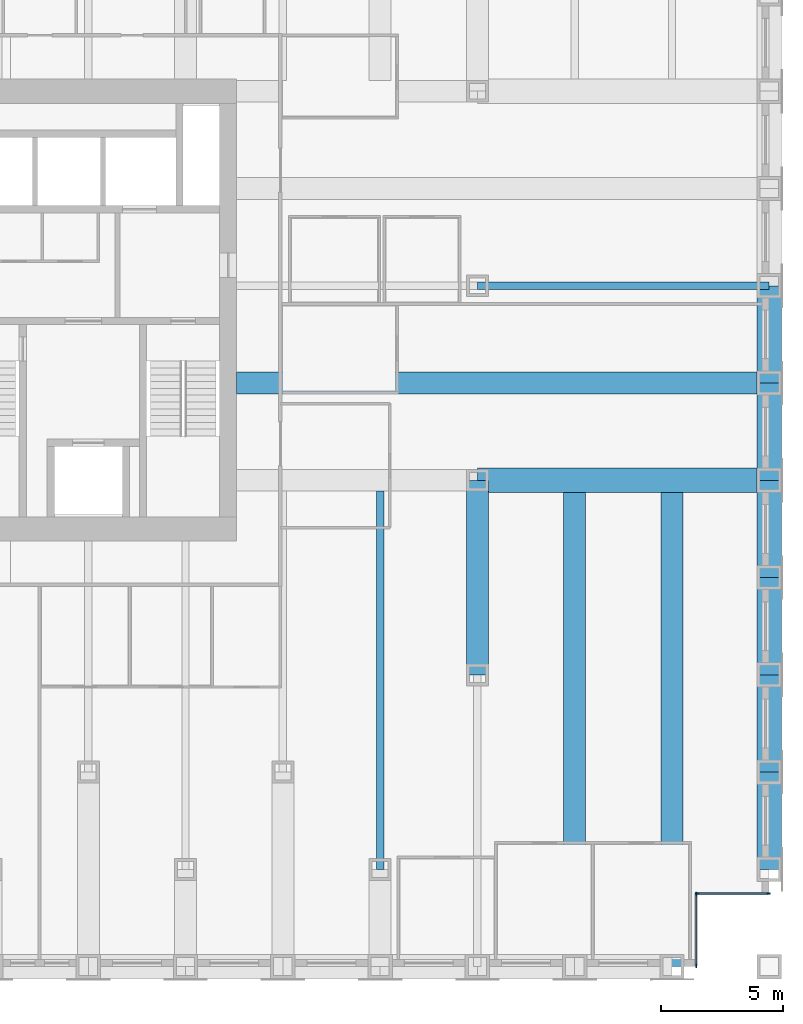
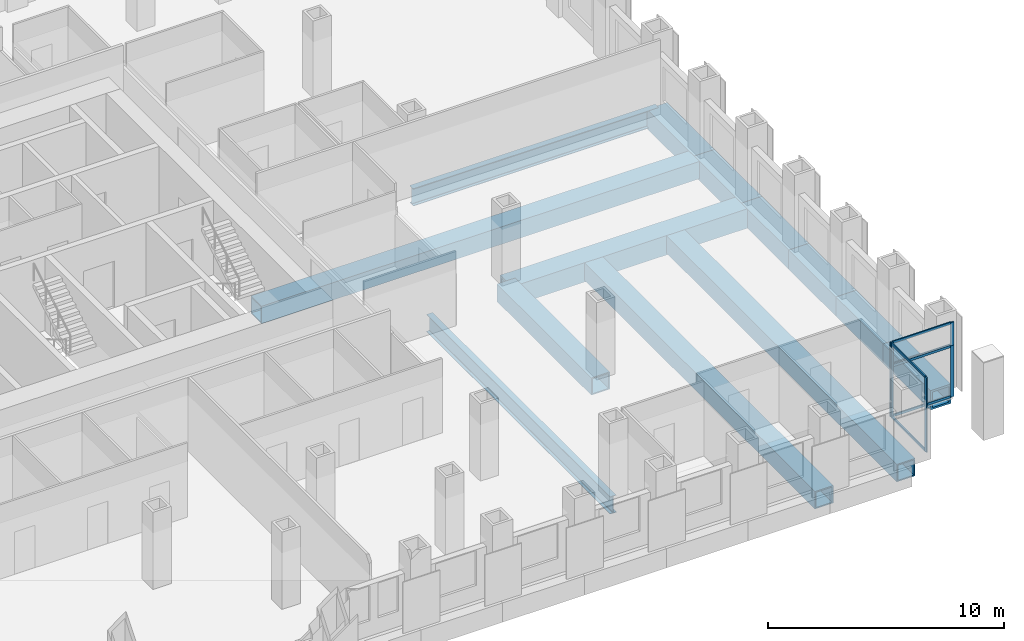
# One storey, part 4 of 17: 13 beams, 12 members, 3 elements without a shape of their own.
"""IFC4 building model written with IfcOpenShell, lengths in metres."""

import ifcopenshell
import ifcopenshell.guid

model = None  # the IFC model being written
_history = None  # IfcOwnerHistory: only IFC2X3 demands one
_inside = {}  # id of a spatial element -> (the spatial element, [elements in it])
_under = {}  # id of a project, library or spatial element -> (it, [spatial elements below it])
_declared = {}  # id of a project -> (the project, [libraries it declares])
_typed = {}  # id of a type object -> (the type object, [elements of that type])
_made_of = {}  # id of a material, layer set ... -> (it, [elements and type objects made of it])


def new_model(schema):
    """Start an empty IFC model of exactly this schema.

    Asked for "IFC4X3", IfcOpenShell would pick the latest addendum, in which some entities
    have other attributes; the version numbers below select the first issue.
    IFC2X3 requires an IfcOwnerHistory on every rooted entity: one is made here for all.
    """
    global model, _history
    if schema == "IFC4X3":
        model = ifcopenshell.file(schema_version=(4, 3, 0, 0))
    else:
        model = ifcopenshell.file(schema=schema)
    _inside.clear()
    _under.clear()
    _declared.clear()
    _typed.clear()
    _made_of.clear()
    _history = None
    if model.schema == "IFC2X3":
        org = make("IfcOrganization", Name="unknown")
        user = make(
            "IfcPersonAndOrganization",
            ThePerson=make("IfcPerson", FamilyName="unknown"),
            TheOrganization=org,
        )
        app = make(
            "IfcApplication",
            ApplicationDeveloper=org,
            Version="unknown",
            ApplicationFullName="unknown",
            ApplicationIdentifier="unknown",
        )
        _history = make(
            "IfcOwnerHistory",
            OwningUser=user,
            OwningApplication=app,
            ChangeAction="ADDED",
            CreationDate=0,
        )
    return model


def make(cls, **values):
    """One entity of the class cls with the attributes given. An attribute that is None is left unset."""
    return model.create_entity(
        cls, **{name: value for name, value in values.items() if value is not None}
    )


def rooted(cls, **values):
    """An entity with a GlobalId (a new one), such as an element, a storey or a relation."""
    return make(cls, GlobalId=ifcopenshell.guid.new(), OwnerHistory=_history, **values)


def si_unit(unit_type, name, prefix=None):
    """IfcSIUnit, for example si_unit("LENGTHUNIT", "METRE", prefix="MILLI")."""
    return make("IfcSIUnit", UnitType=unit_type, Prefix=prefix, Name=name)


def assignment(units):
    """IfcUnitAssignment: the units of a project."""
    return None if units is None else make("IfcUnitAssignment", Units=units)


def point(xyz):
    """IfcCartesianPoint."""
    return None if xyz is None else make("IfcCartesianPoint", Coordinates=xyz)


def direction(xyz):
    """IfcDirection."""
    return None if xyz is None else make("IfcDirection", DirectionRatios=xyz)


def frame(location, z_axis=None, x_axis=None):
    """IfcAxis2Placement3D, a coordinate frame: its origin and axes. An axis left out is left unset."""
    return make(
        "IfcAxis2Placement3D",
        Location=point(location),
        Axis=direction(z_axis),
        RefDirection=direction(x_axis),
    )


def frame_2d(location, x_axis=None):
    """IfcAxis2Placement2D, a coordinate frame in the plane: its origin and x axis."""
    return make(
        "IfcAxis2Placement2D", Location=point(location), RefDirection=direction(x_axis)
    )


def origin():
    """The frame at (0, 0, 0) with its axes left unset."""
    return frame((0.0, 0.0, 0.0))


def origin_2d():
    """The frame at (0, 0) in the plane with its x axis left unset."""
    return frame_2d((0.0, 0.0))


def place(relative_to, where):
    """IfcLocalPlacement: puts the frame where relative to a parent placement (None: the world)."""
    return make(
        "IfcLocalPlacement", PlacementRelTo=relative_to, RelativePlacement=where
    )


def context(
    kind, dimensions, precision=None, world=None, true_north=None, identifier=None
):
    """IfcGeometricRepresentationContext, for example the 3D "Model" context."""
    return make(
        "IfcGeometricRepresentationContext",
        ContextIdentifier=identifier,
        ContextType=kind,
        CoordinateSpaceDimension=dimensions,
        Precision=precision,
        WorldCoordinateSystem=world,
        TrueNorth=true_north,
    )


def subcontext(parent, identifier, kind, view, scale=None):
    """IfcGeometricRepresentationSubContext, for example "Body" below "Model"."""
    return make(
        "IfcGeometricRepresentationSubContext",
        ContextIdentifier=identifier,
        ContextType=kind,
        ParentContext=parent,
        TargetScale=scale,
        TargetView=view,
    )


def project(units=None, contexts=None):
    """IfcProject with its units and contexts."""
    return rooted(
        "IfcProject",
        Name="project",
        RepresentationContexts=contexts,
        UnitsInContext=assignment(units),
    )


def spatial(cls, under=None, at=None, **own):
    """A site, building, storey or space (cls), placed at a placement, below another one or the project."""
    s = rooted(cls, ObjectPlacement=at, **own)
    if under is not None:
        _under.setdefault(under.id(), (under, []))[1].append(s)
    return s


def profile(cls, at=None, kind="AREA", **sizes):
    """A parametric profile (cls). Its sizes go by their IFC names, for example OverallWidth=200.0."""
    return make(cls, ProfileType=kind, Position=at, **sizes)


def rectangle(**sizes):
    """IfcRectangleProfileDef."""
    return profile("IfcRectangleProfileDef", **sizes)


def hollow_rectangle(**sizes):
    """IfcRectangleHollowProfileDef."""
    return profile("IfcRectangleHollowProfileDef", **sizes)


def i_section(**sizes):
    """IfcIShapeProfileDef."""
    return profile("IfcIShapeProfileDef", **sizes)


def extrude(swept, where, along, depth):
    """IfcExtrudedAreaSolid: the profile swept, set in the frame where, extruded along a direction by depth."""
    return make(
        "IfcExtrudedAreaSolid",
        SweptArea=swept,
        Position=where,
        ExtrudedDirection=direction(along),
        Depth=depth,
    )


def shape(context_of_items, identifier, shape_type, items):
    """IfcShapeRepresentation: the items that make up one representation, for example the "Body"."""
    return make(
        "IfcShapeRepresentation",
        ContextOfItems=context_of_items,
        RepresentationIdentifier=identifier,
        RepresentationType=shape_type,
        Items=items,
    )


def material(Name=None, Category=None):
    """IfcMaterial."""
    return make("IfcMaterial", Name=Name, Category=Category)


def material_profile(
    of_material, cross_section, Name=None, Category=None, Priority=None
):
    """IfcMaterialProfile: a cross section and its material."""
    return make(
        "IfcMaterialProfile",
        Name=Name,
        Material=of_material,
        Profile=cross_section,
        Priority=Priority,
        Category=Category,
    )


def profile_set(profiles, Name=None, composite=None):
    """IfcMaterialProfileSet."""
    return make(
        "IfcMaterialProfileSet",
        Name=Name,
        MaterialProfiles=profiles,
        CompositeProfile=composite,
    )


def made_of(thing, what):
    """Note that an element or type object is made of a material, layer set ...; save() writes the relation."""
    if what is not None:
        _made_of.setdefault(what.id(), (what, []))[1].append(thing)
    return thing


def type_object(cls, material=None, **own):
    """A type object (cls), such as IfcWallType, which elements share."""
    return made_of(rooted(cls, **own), material)


def element(
    cls,
    number,
    at=None,
    inside=None,
    cuts=None,
    type_object=None,
    material=None,
    context=None,
    identifier="Body",
    shape_type=None,
    held_by="IfcProductDefinitionShape",
    body=None,
    shapes=None,
    **own,
):
    """One element of the class cls, such as IfcWall. Its Tag is "e" and its number.

    at: its placement. inside: the storey or other place that contains it. cuts: it is an
    opening in that element (IfcRelVoidsElement). A single representation is given by context,
    identifier, shape_type and body (its items); several are given by shapes. held_by: the class
    of the entity that holds the representations. save() writes the other relations.
    """
    e = rooted(cls, Tag="e%d" % number, ObjectPlacement=at, **own)
    if body is not None:
        shapes = [shape(context, identifier, shape_type, body)]
    if shapes is not None:
        e.Representation = make(held_by, Representations=shapes)
    if inside is not None:
        _inside.setdefault(inside.id(), (inside, []))[1].append(e)
    if cuts is not None:
        rooted(
            "IfcRelVoidsElement", RelatingBuildingElement=cuts, RelatedOpeningElement=e
        )
    if type_object is not None:
        _typed.setdefault(type_object.id(), (type_object, []))[1].append(e)
    return made_of(e, material)


def aggregate(whole, parts):
    """IfcRelAggregates: a whole, such as a stair, and the parts it consists of."""
    return rooted("IfcRelAggregates", RelatingObject=whole, RelatedObjects=parts)


def save(model, path):
    """Write the relations noted so far, then the file.

    IfcRelAggregates (storeys below a building ...), IfcRelContainedInSpatialStructure (elements
    in a storey), IfcRelDefinesByType, IfcRelAssociatesMaterial and IfcRelDeclares: one each for
    every whole, place, type object, material and project.
    """
    for whole, parts in _under.values():
        aggregate(whole, parts)
    for where, things in _inside.values():
        rooted(
            "IfcRelContainedInSpatialStructure",
            RelatedElements=things,
            RelatingStructure=where,
        )
    for kind, things in _typed.values():
        rooted("IfcRelDefinesByType", RelatedObjects=things, RelatingType=kind)
    for what, things in _made_of.values():
        rooted("IfcRelAssociatesMaterial", RelatedObjects=things, RelatingMaterial=what)
    for by, libraries in _declared.values():
        rooted("IfcRelDeclares", RelatingContext=by, RelatedDefinitions=libraries)
    model.write(path)


model = new_model("IFC4")

# Units and contexts
model_context = context("Model", 3, precision=1e-05, world=origin(), true_north=direction((0.0, 1.0)))
body_context = subcontext(model_context, "Body", "Model", "MODEL_VIEW")
ifc_project = project(units=[si_unit("LENGTHUNIT", "METRE"), si_unit("AREAUNIT", "SQUARE_METRE"), si_unit("VOLUMEUNIT", "CUBIC_METRE"), si_unit("PLANEANGLEUNIT", "RADIAN"), si_unit("MASSUNIT", "GRAM", prefix="KILO")], contexts=[model_context])

# Site, building, storey
site_placement = place(None, origin())
site = spatial("IfcSite", under=ifc_project, at=site_placement, CompositionType="ELEMENT")
building_placement = place(site_placement, origin())
building = spatial("IfcBuilding", under=site, at=building_placement, Name="Rimbunsela Tower", CompositionType="ELEMENT")
storey_placement = place(building_placement, frame((0.0, 0.0, 101.39990234375)))
storey = spatial("IfcBuildingStorey", under=building, at=storey_placement, Name="L24", CompositionType="ELEMENT", Elevation=101.39990234375)

# Beams
ifc_material_1 = material(Name="Steel BJ 55 (fy 410 MPa)", Category="steel")
ifc_material_profile_1 = material_profile(ifc_material_1, hollow_rectangle(XDim=1.0, YDim=1.0, WallThickness=0.10009765625, at=origin_2d()), Name="BOX 1000x1000x100")
ifc_profile_set_1 = profile_set([ifc_material_profile_1], Name="Steel BJ 55 (fy 410 MPa)")
beam_type_1 = type_object("IfcBeamType", Name="Beam BOX 1000x1000x100", PredefinedType="BEAM", material=ifc_profile_set_1)
beam_1_placement = place(storey_placement, frame((46.0, 20.0, -0.64990234375), z_axis=(1.0, 0.0, 0.0), x_axis=(0.0, 1.0, 0.0)))
element("IfcBeam", 1, at=beam_1_placement, inside=storey, type_object=beam_type_1, Name="Beam B3 L24", PredefinedType="BEAM", context=body_context, shape_type="SweptSolid", body=[
    extrude(hollow_rectangle(XDim=1.0, YDim=1.0, WallThickness=0.10009765625, at=origin_2d()), origin(), (0.0, 0.0, 1.0), 12.0),
])
for number, where, z_axis, x_axis, name in (
    (2, (58.0, 4.0, -0.64990234375), (0.0, 1.0, 0.0), (-1.0, 0.0, 0.0), "Beam B3 L24"),
    (3, (58.0, 8.0, -0.64990234375), (0.0, 1.0, 0.0), (-1.0, 0.0, 0.0), "Beam B3 L24"),
    (4, (58.0, 12.0, -0.64990234375), (0.0, 1.0, 0.0), (-1.0, 0.0, 0.0), "Beam B3 L24"),
    (5, (58.0, 16.0, -0.64990234375), (0.0, 1.0, 0.0), (-1.0, 0.0, 0.0), "Beam B3 L24"),
    (6, (58.0, 20.0, -0.64990234375), (0.0, 1.0, 0.0), (-1.0, 0.0, 0.0), "Beam B3 L24"),
    (7, (58.0, 24.0, -0.64990234375), (0.0, 1.0, 0.0), (-1.0, 0.0, 0.0), "Beam B3 L24"),
):
    element("IfcBeam", number, at=place(storey_placement, frame(where, z_axis=z_axis, x_axis=x_axis)), inside=storey, type_object=beam_type_1, Name=name, PredefinedType="BEAM", context=body_context, shape_type="SweptSolid", body=[
        extrude(hollow_rectangle(XDim=1.0, YDim=1.0, WallThickness=0.10009765625, at=origin_2d()), origin(), (0.0, 0.0, 1.0), 4.0),
    ])
ifc_material_2 = material(Name="Steel BJ 55 (fy 410 MPa)", Category="steel")
ifc_material_profile_2 = material_profile(ifc_material_2, hollow_rectangle(XDim=0.89990234375, YDim=0.89990234375, WallThickness=0.06005859375, at=origin_2d()), Name="BOX 900x900x60")
ifc_profile_set_2 = profile_set([ifc_material_profile_2], Name="Steel BJ 55 (fy 410 MPa)")
beam_type_2 = type_object("IfcBeamType", Name="Beam BOX 900x900x60", PredefinedType="BEAM", material=ifc_profile_set_2)
beam_2_placement = place(storey_placement, frame((36.10009765625, 24.0, -0.599853515625), z_axis=(1.0, 0.0, 0.0), x_axis=(0.0, 1.0, 0.0)))
element("IfcBeam", 8, at=beam_2_placement, inside=storey, type_object=beam_type_2, Name="Beam B1 L24", PredefinedType="BEAM", context=body_context, shape_type="SweptSolid", body=[
    extrude(hollow_rectangle(XDim=0.89990234375, YDim=0.89990234375, WallThickness=0.06005859375, at=origin_2d()), origin(), (0.0, 0.0, 1.0), 21.89990234375),
])
beam_3_placement = place(storey_placement, frame((46.0, 12.0, -0.599853515625), z_axis=(0.0, 1.0, 0.0), x_axis=(-1.0, 0.0, 0.0)))
element("IfcBeam", 9, at=beam_3_placement, inside=storey, type_object=beam_type_2, Name="Beam B1 L24", PredefinedType="BEAM", context=body_context, shape_type="SweptSolid", body=[
    extrude(hollow_rectangle(XDim=0.89990234375, YDim=0.89990234375, WallThickness=0.06005859375, at=origin_2d()), origin(), (0.0, 0.0, 1.0), 8.0),
])
for number, where, z_axis, x_axis, name in (
    (10, (50.0, 0.0, -0.599853515625), (0.0, 1.0, 0.0), (-1.0, 0.0, 0.0), "Beam B1 L24"),
    (11, (54.0, 0.0, -0.599853515625), (0.0, 1.0, 0.0), (-1.0, 0.0, 0.0), "Beam B1 L24"),
):
    element("IfcBeam", number, at=place(storey_placement, frame(where, z_axis=z_axis, x_axis=x_axis)), inside=storey, type_object=beam_type_2, Name=name, PredefinedType="BEAM", context=body_context, shape_type="SweptSolid", body=[
        extrude(hollow_rectangle(XDim=0.89990234375, YDim=0.89990234375, WallThickness=0.06005859375, at=origin_2d()), origin(), (0.0, 0.0, 1.0), 19.5),
    ])
ifc_material_3 = material(Name="Steel BJ 55 (fy 410 MPa)", Category="steel")
ifc_material_profile_3 = material_profile(ifc_material_3, i_section(OverallWidth=0.300048828125, OverallDepth=0.89990234375, WebThickness=0.01611328125, FlangeThickness=0.028076171875, FilletRadius=0.028076171875, at=origin_2d()), Name="H 900x300x16x28")
ifc_profile_set_3 = profile_set([ifc_material_profile_3], Name="Steel BJ 55 (fy 410 MPa)")
beam_type_3 = type_object("IfcBeamType", Name="Beam H 900x300x16x28", PredefinedType="BEAM", material=ifc_profile_set_3)
beam_4_placement = place(storey_placement, frame((42.0, 4.0, -0.599853515625), z_axis=(0.0, 1.0, 0.0), x_axis=(-1.0, 0.0, 0.0)))
element("IfcBeam", 12, at=beam_4_placement, inside=storey, type_object=beam_type_3, Name="Beam B2 L24", PredefinedType="BEAM", context=body_context, shape_type="SweptSolid", body=[
    extrude(i_section(OverallWidth=0.300048828125, OverallDepth=0.89990234375, WebThickness=0.01611328125, FlangeThickness=0.028076171875, FilletRadius=0.028076171875, at=origin_2d()), origin(), (0.0, 0.0, 1.0), 15.550048828125),
])
beam_5_placement = place(storey_placement, frame((46.0, 28.0, -0.599853515625), z_axis=(1.0, 0.0, 0.0), x_axis=(0.0, 1.0, 0.0)))
element("IfcBeam", 13, at=beam_5_placement, inside=storey, type_object=beam_type_3, Name="Beam B2 L24", PredefinedType="BEAM", context=body_context, shape_type="SweptSolid", body=[
    extrude(i_section(OverallWidth=0.300048828125, OverallDepth=0.89990234375, WebThickness=0.01611328125, FlangeThickness=0.028076171875, FilletRadius=0.028076171875, at=origin_2d()), origin(), (0.0, 0.0, 1.0), 12.0),
])

# Curtain wall, members
ifc_material_4 = material(Name="Aluminium curtain wall", Category="aluminium")
curtain_wall_type_1 = type_object("IfcCurtainWallType", Name="Corner glazing", PredefinedType="USERDEFINED", material=ifc_material_4)
curtain_wall_1_placement = place(storey_placement, origin())
curtain_wall_1 = element("IfcCurtainWall", 14, at=curtain_wall_1_placement, inside=storey, type_object=curtain_wall_type_1, Name="Corner glazing L24", ObjectType="CORNER GLAZING", PredefinedType="USERDEFINED")
ifc_material_5 = material(Name="Aluminium mullion", Category="aluminium")
ifc_material_profile_4 = material_profile(ifc_material_5, rectangle(XDim=0.06005859375, YDim=0.159912109375, at=origin_2d()), Name="Mullion 60x160")
ifc_profile_set_4 = profile_set([ifc_material_profile_4], Name="Aluminium mullion")
member_type_1 = type_object("IfcMemberType", Name="Curtain wall mullion 60x160", PredefinedType="MULLION", material=ifc_profile_set_4)
member_1_placement = place(storey_placement, frame((55.0, 0.030029296875, 0.0), z_axis=(0.0, 0.0, 1.0), x_axis=(-1.0, 0.0, 0.0)))
member_1 = element("IfcMember", 15, at=member_1_placement, type_object=member_type_1, Name="CW5 mullion 1", PredefinedType="MULLION", context=body_context, shape_type="SweptSolid", body=[
    extrude(rectangle(XDim=0.06005859375, YDim=0.159912109375, at=origin_2d()), origin(), (0.0, 0.0, 1.0), 3.85009765625),
])
member_2_placement = place(storey_placement, frame((55.0, 2.969970703125, 0.0), z_axis=(0.0, 0.0, 1.0), x_axis=(-1.0, 0.0, 0.0)))
member_2 = element("IfcMember", 16, at=member_2_placement, type_object=member_type_1, Name="CW5 mullion 2", PredefinedType="MULLION", context=body_context, shape_type="SweptSolid", body=[
    extrude(rectangle(XDim=0.06005859375, YDim=0.159912109375, at=origin_2d()), origin(), (0.0, 0.0, 1.0), 3.85009765625),
])

curtain_wall_2_placement = place(storey_placement, origin())
curtain_wall_2 = element("IfcCurtainWall", 17, at=curtain_wall_2_placement, inside=storey, type_object=curtain_wall_type_1, Name="Corner glazing L24", ObjectType="CORNER GLAZING", PredefinedType="USERDEFINED")
member_3_placement = place(storey_placement, frame((55.030029296875, 3.0, 0.0), z_axis=(0.0, 0.0, 1.0), x_axis=(0.0, 1.0, 0.0)))
member_3 = element("IfcMember", 18, at=member_3_placement, type_object=member_type_1, Name="CW5 mullion 1", PredefinedType="MULLION", context=body_context, shape_type="SweptSolid", body=[
    extrude(rectangle(XDim=0.06005859375, YDim=0.159912109375, at=origin_2d()), origin(), (0.0, 0.0, 1.0), 2.650146484375),
])
member_4_placement = place(storey_placement, frame((57.969970703125, 3.0, 0.0), z_axis=(0.0, 0.0, 1.0), x_axis=(0.0, 1.0, 0.0)))
member_4 = element("IfcMember", 19, at=member_4_placement, type_object=member_type_1, Name="CW5 mullion 2", PredefinedType="MULLION", context=body_context, shape_type="SweptSolid", body=[
    extrude(rectangle(XDim=0.06005859375, YDim=0.159912109375, at=origin_2d()), origin(), (0.0, 0.0, 1.0), 2.650146484375),
])

ifc_material_6 = material(Name="Aluminium curtain wall", Category="aluminium")
curtain_wall_type_2 = type_object("IfcCurtainWallType", Name="Spandrel wall", PredefinedType="USERDEFINED", material=ifc_material_6)
curtain_wall_3_placement = place(storey_placement, origin())
curtain_wall_3 = element("IfcCurtainWall", 20, at=curtain_wall_3_placement, inside=storey, type_object=curtain_wall_type_2, Name="Spandrel wall L24", ObjectType="SPANDREL WALL", PredefinedType="USERDEFINED")
member_5_placement = place(storey_placement, frame((55.030029296875, 3.0, 2.650146484375), z_axis=(0.0, 0.0, 1.0), x_axis=(0.0, 1.0, 0.0)))
member_5 = element("IfcMember", 21, at=member_5_placement, type_object=member_type_1, Name="CW7 mullion 1", PredefinedType="MULLION", context=body_context, shape_type="SweptSolid", body=[
    extrude(rectangle(XDim=0.06005859375, YDim=0.159912109375, at=origin_2d()), origin(), (0.0, 0.0, 1.0), 1.199951171875),
])
member_6_placement = place(storey_placement, frame((57.969970703125, 3.0, 2.650146484375), z_axis=(0.0, 0.0, 1.0), x_axis=(0.0, 1.0, 0.0)))
member_6 = element("IfcMember", 22, at=member_6_placement, type_object=member_type_1, Name="CW7 mullion 2", PredefinedType="MULLION", context=body_context, shape_type="SweptSolid", body=[
    extrude(rectangle(XDim=0.06005859375, YDim=0.159912109375, at=origin_2d()), origin(), (0.0, 0.0, 1.0), 1.199951171875),
])

# Member
ifc_material_7 = material(Name="Aluminium transom", Category="aluminium")
ifc_material_profile_5 = material_profile(ifc_material_7, rectangle(XDim=0.06005859375, YDim=0.1201171875, at=origin_2d()), Name="Transom 60x120")
ifc_profile_set_5 = profile_set([ifc_material_profile_5], Name="Aluminium transom")
member_type_2 = type_object("IfcMemberType", Name="Curtain wall transom 60x120", PredefinedType="USERDEFINED", material=ifc_profile_set_5)
member_7_placement = place(storey_placement, frame((55.0, 0.06005859375, 0.030029296875), z_axis=(0.0, 1.0, 0.0), x_axis=(-1.0, 0.0, 0.0)))
member_7 = element("IfcMember", 23, at=member_7_placement, type_object=member_type_2, Name="CW5 transom 1.1", ObjectType="TRANSOM", PredefinedType="USERDEFINED", context=body_context, shape_type="SweptSolid", body=[
    extrude(rectangle(XDim=0.06005859375, YDim=0.1201171875, at=origin_2d()), origin(), (0.0, 0.0, 1.0), 2.8798828125),
])

member_8_placement = place(storey_placement, frame((55.0, 0.06005859375, 3.820068359375), z_axis=(0.0, 1.0, 0.0), x_axis=(-1.0, 0.0, 0.0)))
member_8 = element("IfcMember", 24, at=member_8_placement, type_object=member_type_2, Name="CW5 transom 1.2", ObjectType="TRANSOM", PredefinedType="USERDEFINED", context=body_context, shape_type="SweptSolid", body=[
    extrude(rectangle(XDim=0.06005859375, YDim=0.1201171875, at=origin_2d()), origin(), (0.0, 0.0, 1.0), 2.8798828125),
])

aggregate(curtain_wall_1, [member_1, member_2, member_7, member_8])

member_9_placement = place(storey_placement, frame((55.06005859375, 3.0, 0.030029296875), z_axis=(1.0, 0.0, 0.0), x_axis=(0.0, 1.0, 0.0)))
member_9 = element("IfcMember", 25, at=member_9_placement, type_object=member_type_2, Name="CW5 transom 1.1", ObjectType="TRANSOM", PredefinedType="USERDEFINED", context=body_context, shape_type="SweptSolid", body=[
    extrude(rectangle(XDim=0.06005859375, YDim=0.1201171875, at=origin_2d()), origin(), (0.0, 0.0, 1.0), 2.8798828125),
])

member_10_placement = place(storey_placement, frame((55.06005859375, 3.0, 2.6201171875), z_axis=(1.0, 0.0, 0.0), x_axis=(0.0, 1.0, 0.0)))
member_10 = element("IfcMember", 26, at=member_10_placement, type_object=member_type_2, Name="CW5 transom 1.2", ObjectType="TRANSOM", PredefinedType="USERDEFINED", context=body_context, shape_type="SweptSolid", body=[
    extrude(rectangle(XDim=0.06005859375, YDim=0.1201171875, at=origin_2d()), origin(), (0.0, 0.0, 1.0), 2.8798828125),
])

aggregate(curtain_wall_2, [member_3, member_4, member_9, member_10])

member_11_placement = place(storey_placement, frame((55.06005859375, 3.0, 2.68017578125), z_axis=(1.0, 0.0, 0.0), x_axis=(0.0, 1.0, 0.0)))
member_11 = element("IfcMember", 27, at=member_11_placement, type_object=member_type_2, Name="CW7 transom 1.1", ObjectType="TRANSOM", PredefinedType="USERDEFINED", context=body_context, shape_type="SweptSolid", body=[
    extrude(rectangle(XDim=0.06005859375, YDim=0.1201171875, at=origin_2d()), origin(), (0.0, 0.0, 1.0), 2.8798828125),
])

member_12_placement = place(storey_placement, frame((55.06005859375, 3.0, 3.820068359375), z_axis=(1.0, 0.0, 0.0), x_axis=(0.0, 1.0, 0.0)))
member_12 = element("IfcMember", 28, at=member_12_placement, type_object=member_type_2, Name="CW7 transom 1.2", ObjectType="TRANSOM", PredefinedType="USERDEFINED", context=body_context, shape_type="SweptSolid", body=[
    extrude(rectangle(XDim=0.06005859375, YDim=0.1201171875, at=origin_2d()), origin(), (0.0, 0.0, 1.0), 2.8798828125),
])

aggregate(curtain_wall_3, [member_5, member_6, member_11, member_12])

save(model, "model.ifc")
